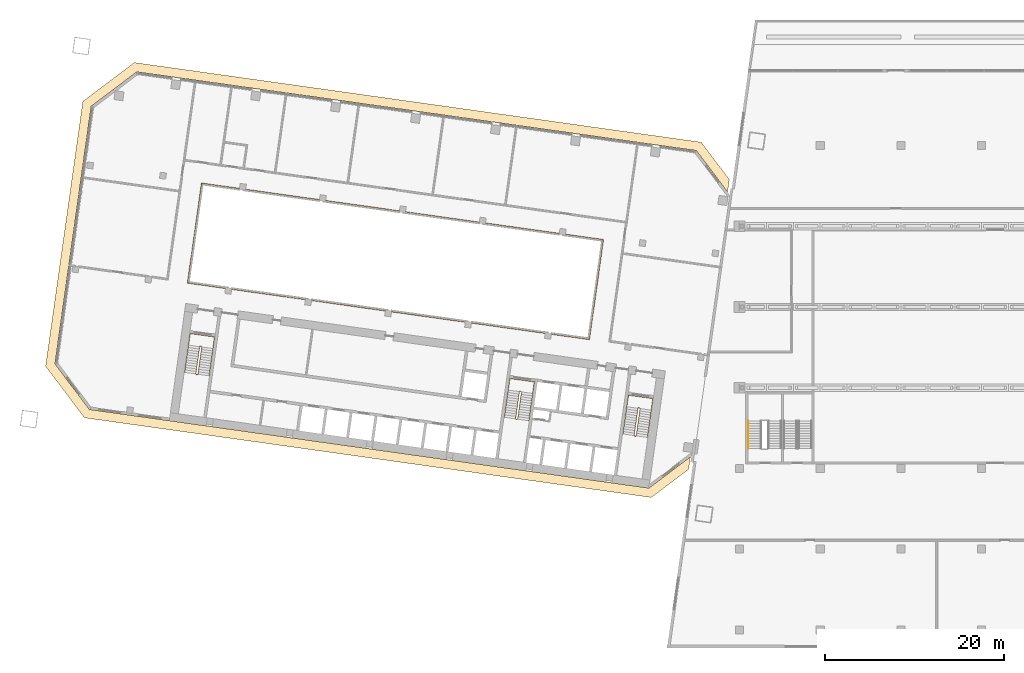
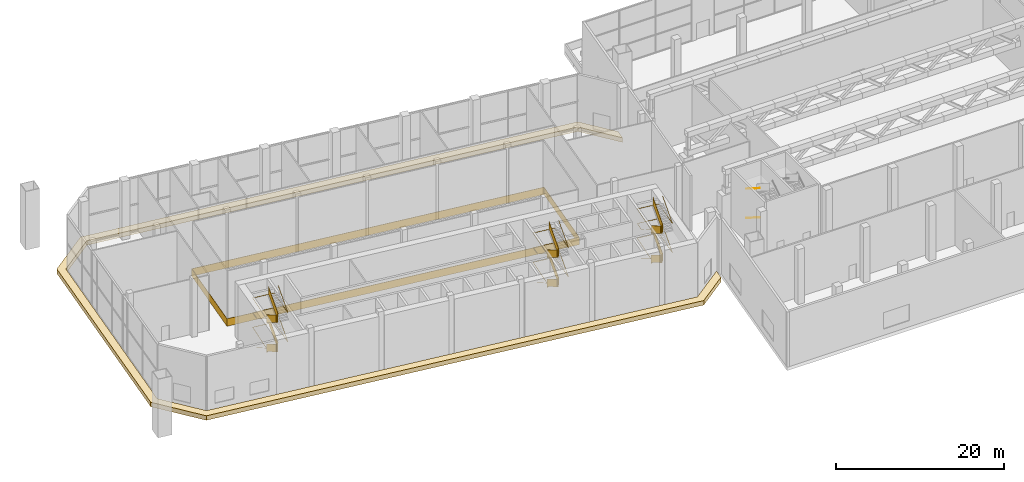
# One storey, part 28 of 31: 9 railings, 1 covering.
"""IFC4 building model written with IfcOpenShell, lengths in metres."""

from ifc_helpers import new_model, si_unit, direction, frame, origin, origin_2d, place, context, subcontext, project, spatial, polyline, rectangle, outline, extrude, material, layer, layer_set, type_object, element, save


model = new_model("IFC4")

# Units and contexts
model_context = context("Model", 3, precision=1e-05, world=origin(), true_north=direction((0.0, 1.0)))
body_context = subcontext(model_context, "Body", "Model", "MODEL_VIEW")
ifc_project = project(units=[si_unit("LENGTHUNIT", "METRE"), si_unit("AREAUNIT", "SQUARE_METRE"), si_unit("VOLUMEUNIT", "CUBIC_METRE"), si_unit("PLANEANGLEUNIT", "RADIAN"), si_unit("MASSUNIT", "GRAM", prefix="KILO")], contexts=[model_context])

# Site, building, storey
site_placement = place(None, origin())
site = spatial("IfcSite", under=ifc_project, at=site_placement, CompositionType="ELEMENT")
building_placement = place(site_placement, origin())
building = spatial("IfcBuilding", under=site, at=building_placement, Name="Mirante Cascada Hotel Towers", CompositionType="ELEMENT")
storey_placement = place(building_placement, frame((0.0, 0.0, 9.0)))
storey = spatial("IfcBuildingStorey", under=building, at=storey_placement, Name="L01", CompositionType="ELEMENT", Elevation=9.0)

# Railings
ifc_material_1 = material(Name="Painted steel", Category="steel")
railing_type_1 = type_object("IfcRailingType", Name="Atrium edge guard 1100 steel balustrade", PredefinedType="GUARDRAIL", material=ifc_material_1)
railing_1_placement = place(storey_placement, frame((-43.7567, -3.601, 0.0)))
element("IfcRailing", 1, at=railing_1_placement, inside=storey, type_object=railing_type_1, Name="Atrium guard T1 L01", PredefinedType="GUARDRAIL", context=body_context, shape_type="SweptSolid", body=[
    extrude(rectangle(XDim=0.048, YDim=0.048, at=origin_2d()), frame((0.0, 0.0, 1.076), z_axis=(-0.9902681, 0.1391726, 0.0), x_axis=(-0.1391726, -0.9902681, 0.0)), (0.0, 0.0, 1.0), 45.2),
    extrude(rectangle(XDim=0.02, YDim=1.052, at=origin_2d()), frame((0.0, 0.0, 0.526), z_axis=(-0.9902681, 0.1391726, 0.0), x_axis=(-0.1391726, -0.9902681, 0.0)), (0.0, 0.0, 1.0), 45.2),
    extrude(rectangle(XDim=0.048, YDim=0.048, at=origin_2d()), frame((-44.7601, 6.2906, 1.076), z_axis=(0.1391697, 0.9902685, 0.0), x_axis=(-0.9902685, 0.1391697, 0.0)), (0.0, 0.0, 1.0), 11.2),
    extrude(rectangle(XDim=0.02, YDim=1.052, at=origin_2d()), frame((-44.7601, 6.2906, 0.526), z_axis=(0.1391697, 0.9902685, 0.0), x_axis=(-0.9902685, 0.1391697, 0.0)), (0.0, 0.0, 1.0), 11.2),
    extrude(rectangle(XDim=0.048, YDim=0.048, at=origin_2d()), frame((-43.2014, 17.3816, 1.076), z_axis=(0.9902681, -0.1391726, 0.0), x_axis=(0.1391726, 0.9902681, 0.0)), (0.0, 0.0, 1.0), 45.2),
    extrude(rectangle(XDim=0.02, YDim=1.052, at=origin_2d()), frame((-43.2014, 17.3816, 0.526), z_axis=(0.9902681, -0.1391726, 0.0), x_axis=(0.1391726, 0.9902681, 0.0)), (0.0, 0.0, 1.0), 45.2),
    extrude(rectangle(XDim=0.048, YDim=0.048, at=origin_2d()), frame((1.5587, 11.091, 1.076), z_axis=(-0.1391697, -0.9902685, 0.0), x_axis=(0.9902685, -0.1391697, 0.0)), (0.0, 0.0, 1.0), 11.2),
    extrude(rectangle(XDim=0.02, YDim=1.052, at=origin_2d()), frame((1.5587, 11.091, 0.526), z_axis=(-0.1391697, -0.9902685, 0.0), x_axis=(0.9902685, -0.1391697, 0.0)), (0.0, 0.0, 1.0), 11.2),
])
ifc_material_2 = material(Name="Painted steel", Category="steel")
railing_type_2 = type_object("IfcRailingType", Name="Podium stair handrail 900 steel tube", PredefinedType="HANDRAIL", material=ifc_material_2)
for number, where, name in (
    (2, (-26.025, -12.695, 2.3021), "L01 PS3 stair handrail 2"),
    (3, (-26.025, -12.695, 6.5521), "L01 PS3 stair handrail 4"),
):
    element("IfcRailing", number, at=place(storey_placement, frame(where)), inside=storey, type_object=railing_type_2, Name=name, PredefinedType="HANDRAIL", context=body_context, shape_type="SweptSolid", body=[
        extrude(rectangle(XDim=0.048, YDim=0.048, at=origin_2d()), frame((0.0, 0.0, 0.876), z_axis=(0.0, -1.0, 0.0), x_axis=(1.0, 0.0, 0.0)), (0.0, 0.5345101, 0.8451621), 3.6443),
    ])

# Covering
ifc_material_3 = material(Name="Precast concrete C40/50 white", Category="concrete")
ifc_layer = layer(ifc_material_3, 0.6)
ifc_layer_set = layer_set([ifc_layer], Name="Precast concrete SUNSHADE band 1000x600")
covering_type = type_object("IfcCoveringType", Name="Precast concrete SUNSHADE band 1000x600", PredefinedType="CLADDING", material=ifc_layer_set)
covering_placement = place(storey_placement, frame((0.0, 0.0, -0.5)))
element("IfcCovering", 4, at=covering_placement, inside=storey, type_object=covering_type, Name="Precast concrete SUNSHADE band T1 L01", PredefinedType="CLADDING", context=body_context, shape_type="SweptSolid", body=[
    extrude(outline(polyline([(-100.2139, 22.9287), (-94.4698, 27.2572), (-31.2626, 18.374), (-28.1256, 14.2111), (-28.3224, 12.8107), (-31.8119, 17.4414), (-94.1988, 26.2093), (-99.2813, 22.3794), (-103.3173, -6.3384), (-99.4874, -11.4209), (-37.1005, -20.1888), (-32.4698, -16.6993), (-32.6666, -18.0998), (-36.8295, -21.2367), (-100.0367, -12.3535), (-104.3652, -6.6094), (-100.2139, 22.9287)])), origin(), (0.0, 0.0, 1.0), 0.65),
])

# Railings
ifc_material_4 = material(Name="Painted steel", Category="steel")
railing_type_3 = type_object("IfcRailingType", Name="Stair guard 1100 steel balustrade", PredefinedType="GUARDRAIL", material=ifc_material_4)
railing_2_placement = place(storey_placement, frame((-38.1178, -11.2603, 0.0)))
element("IfcRailing", 5, at=railing_2_placement, inside=storey, type_object=railing_type_3, Name="L01 ST1-A stair guard 1", PredefinedType="GUARDRAIL", context=body_context, shape_type="SweptSolid", body=[
    extrude(rectangle(XDim=0.048, YDim=0.048, at=origin_2d()), frame((0.0, 0.0, 1.076), z_axis=(-0.9903326, 0.1387133, 0.0), x_axis=(-0.1387133, -0.9903326, 0.0)), (0.0, 0.0, 1.0), 0.1499),
    extrude(rectangle(XDim=0.02, YDim=1.052, at=origin_2d()), frame((0.0, 0.0, 0.526), z_axis=(-0.9903326, 0.1387133, 0.0), x_axis=(-0.1387133, -0.9903326, 0.0)), (0.0, 0.0, 1.0), 0.1499),
    extrude(rectangle(XDim=0.048, YDim=0.048, at=origin_2d()), frame((-0.1485, 0.0208, 1.076), z_axis=(-0.7991505, -0.6011309, 0.0), x_axis=(0.6011309, -0.7991505, 0.0)), (0.0, 0.9287295, 0.370758), 0.1907),
    extrude(rectangle(XDim=0.02, YDim=1.052, at=origin_2d()), frame((-0.1485, 0.0208, 0.526), z_axis=(-0.7991505, -0.6011309, 0.0), x_axis=(0.6011309, -0.7991505, 0.0)), (0.0, 0.9287295, 0.370758), 0.1907),
    extrude(rectangle(XDim=0.048, YDim=0.048, at=origin_2d()), frame((-0.205, -0.0217, 1.2531), z_axis=(-0.1391892, -0.9902658, 0.0), x_axis=(0.9902658, -0.1391892, 0.0)), (0.0, 0.5345125, 0.8451606), 3.6443),
    extrude(rectangle(XDim=0.02, YDim=1.052, at=origin_2d()), frame((-0.205, -0.0217, 0.7031), z_axis=(-0.1391892, -0.9902658, 0.0), x_axis=(0.9902658, -0.1391892, 0.0)), (0.0, 0.5345125, 0.8451606), 3.6443),
    extrude(rectangle(XDim=0.048, YDim=0.048, at=origin_2d()), frame((-0.6337, -3.0717, 3.201), z_axis=(0.9268624, -0.3754011, 0.0), x_axis=(0.3754011, 0.9268624, 0.0)), (0.0, 0.0, 1.0), 0.2062),
    extrude(rectangle(XDim=0.02, YDim=1.052, at=origin_2d()), frame((-0.6337, -3.0717, 2.651), z_axis=(0.9268624, -0.3754011, 0.0), x_axis=(0.3754011, 0.9268624, 0.0)), (0.0, 0.0, 1.0), 0.2062),
    extrude(rectangle(XDim=0.048, YDim=0.048, at=origin_2d()), frame((-0.4426, -3.1491, 3.201), z_axis=(-0.9902408, 0.1393672, 0.0), x_axis=(-0.1393672, -0.9902408, 0.0)), (0.0, 0.0, 1.0), 0.15),
    extrude(rectangle(XDim=0.02, YDim=1.052, at=origin_2d()), frame((-0.4426, -3.1491, 2.651), z_axis=(-0.9902408, 0.1393672, 0.0), x_axis=(-0.1393672, -0.9902408, 0.0)), (0.0, 0.0, 1.0), 0.15),
    extrude(rectangle(XDim=0.048, YDim=0.048, at=origin_2d()), frame((-0.5911, -3.1282, 3.201), z_axis=(0.9944441, 0.1052656, 0.0), x_axis=(-0.1052656, 0.9944441, 0.0)), (0.0, 0.6516479, 0.7585216), 0.2718),
    extrude(rectangle(XDim=0.02, YDim=1.052, at=origin_2d()), frame((-0.5911, -3.1282, 2.651), z_axis=(0.9944441, 0.1052656, 0.0), x_axis=(-0.1052656, 0.9944441, 0.0)), (0.0, 0.6516479, 0.7585216), 0.2718),
    extrude(rectangle(XDim=0.048, YDim=0.048, at=origin_2d()), frame((-0.3861, -3.1065, 3.3781), z_axis=(0.1391892, 0.9902658, 0.0), x_axis=(-0.9902658, 0.1391892, 0.0)), (0.0, 0.5345125, 0.8451606), 3.6443),
    extrude(rectangle(XDim=0.02, YDim=1.052, at=origin_2d()), frame((-0.3861, -3.1065, 2.8281), z_axis=(0.1391892, 0.9902658, 0.0), x_axis=(-0.9902658, 0.1391892, 0.0)), (0.0, 0.5345125, 0.8451606), 3.6443),
    extrude(rectangle(XDim=0.048, YDim=0.048, at=origin_2d()), frame((0.0426, -0.0565, 5.326), z_axis=(-0.6020331, 0.7984711, 0.0), x_axis=(-0.7984711, -0.6020331, 0.0)), (0.0, 0.0, 1.0), 0.0708),
    extrude(rectangle(XDim=0.02, YDim=1.052, at=origin_2d()), frame((0.0426, -0.0565, 4.776), z_axis=(-0.6020331, 0.7984711, 0.0), x_axis=(-0.7984711, -0.6020331, 0.0)), (0.0, 0.0, 1.0), 0.0708),
    extrude(rectangle(XDim=0.048, YDim=0.048, at=origin_2d()), frame((0.0, 0.0, 5.326), z_axis=(-0.9903326, 0.1387133, 0.0), x_axis=(-0.1387133, -0.9903326, 0.0)), (0.0, 0.0, 1.0), 0.1499),
    extrude(rectangle(XDim=0.02, YDim=1.052, at=origin_2d()), frame((0.0, 0.0, 4.776), z_axis=(-0.9903326, 0.1387133, 0.0), x_axis=(-0.1387133, -0.9903326, 0.0)), (0.0, 0.0, 1.0), 0.1499),
    extrude(rectangle(XDim=0.048, YDim=0.048, at=origin_2d()), frame((-0.1485, 0.0208, 5.326), z_axis=(-0.7991505, -0.6011309, 0.0), x_axis=(0.6011309, -0.7991505, 0.0)), (0.0, 0.9287295, 0.370758), 0.1907),
    extrude(rectangle(XDim=0.02, YDim=1.052, at=origin_2d()), frame((-0.1485, 0.0208, 4.776), z_axis=(-0.7991505, -0.6011309, 0.0), x_axis=(0.6011309, -0.7991505, 0.0)), (0.0, 0.9287295, 0.370758), 0.1907),
    extrude(rectangle(XDim=0.048, YDim=0.048, at=origin_2d()), frame((-0.205, -0.0217, 5.5031), z_axis=(-0.1391892, -0.9902658, 0.0), x_axis=(0.9902658, -0.1391892, 0.0)), (0.0, 0.5345125, 0.8451606), 3.6443),
    extrude(rectangle(XDim=0.02, YDim=1.052, at=origin_2d()), frame((-0.205, -0.0217, 4.9531), z_axis=(-0.1391892, -0.9902658, 0.0), x_axis=(0.9902658, -0.1391892, 0.0)), (0.0, 0.5345125, 0.8451606), 3.6443),
    extrude(rectangle(XDim=0.048, YDim=0.048, at=origin_2d()), frame((-0.6337, -3.0717, 7.451), z_axis=(0.9268624, -0.3754011, 0.0), x_axis=(0.3754011, 0.9268624, 0.0)), (0.0, 0.0, 1.0), 0.2062),
    extrude(rectangle(XDim=0.02, YDim=1.052, at=origin_2d()), frame((-0.6337, -3.0717, 6.901), z_axis=(0.9268624, -0.3754011, 0.0), x_axis=(0.3754011, 0.9268624, 0.0)), (0.0, 0.0, 1.0), 0.2062),
    extrude(rectangle(XDim=0.048, YDim=0.048, at=origin_2d()), frame((-0.4426, -3.1491, 7.451), z_axis=(-0.9902408, 0.1393672, 0.0), x_axis=(-0.1393672, -0.9902408, 0.0)), (0.0, 0.0, 1.0), 0.15),
    extrude(rectangle(XDim=0.02, YDim=1.052, at=origin_2d()), frame((-0.4426, -3.1491, 6.901), z_axis=(-0.9902408, 0.1393672, 0.0), x_axis=(-0.1393672, -0.9902408, 0.0)), (0.0, 0.0, 1.0), 0.15),
    extrude(rectangle(XDim=0.048, YDim=0.048, at=origin_2d()), frame((-0.5911, -3.1282, 7.451), z_axis=(0.9944441, 0.1052656, 0.0), x_axis=(-0.1052656, 0.9944441, 0.0)), (0.0, 0.6516479, 0.7585216), 0.2718),
    extrude(rectangle(XDim=0.02, YDim=1.052, at=origin_2d()), frame((-0.5911, -3.1282, 6.901), z_axis=(0.9944441, 0.1052656, 0.0), x_axis=(-0.1052656, 0.9944441, 0.0)), (0.0, 0.6516479, 0.7585216), 0.2718),
    extrude(rectangle(XDim=0.048, YDim=0.048, at=origin_2d()), frame((-0.3861, -3.1065, 7.6281), z_axis=(0.1391892, 0.9902658, 0.0), x_axis=(-0.9902658, 0.1391892, 0.0)), (0.0, 0.5345125, 0.8451606), 3.6443),
    extrude(rectangle(XDim=0.02, YDim=1.052, at=origin_2d()), frame((-0.3861, -3.1065, 7.0781), z_axis=(0.1391892, 0.9902658, 0.0), x_axis=(-0.9902658, 0.1391892, 0.0)), (0.0, 0.5345125, 0.8451606), 3.6443),
])
railing_3_placement = place(storey_placement, frame((-51.3379, -9.4024, 0.0)))
element("IfcRailing", 6, at=railing_3_placement, inside=storey, type_object=railing_type_3, Name="L01 ST1-B stair guard 1", PredefinedType="GUARDRAIL", context=body_context, shape_type="SweptSolid", body=[
    extrude(rectangle(XDim=0.048, YDim=0.048, at=origin_2d()), frame((0.0, 0.0, 1.076), z_axis=(-0.9902408, 0.1393672, 0.0), x_axis=(-0.1393672, -0.9902408, 0.0)), (0.0, 0.0, 1.0), 0.15),
    extrude(rectangle(XDim=0.02, YDim=1.052, at=origin_2d()), frame((0.0, 0.0, 0.526), z_axis=(-0.9902408, 0.1393672, 0.0), x_axis=(-0.1393672, -0.9902408, 0.0)), (0.0, 0.0, 1.0), 0.15),
    extrude(rectangle(XDim=0.048, YDim=0.048, at=origin_2d()), frame((-0.1485, 0.0209, 1.076), z_axis=(-0.7984711, -0.6020331, 0.0), x_axis=(0.6020331, -0.7984711, 0.0)), (0.0, 0.9286209, 0.3710301), 0.1907),
    extrude(rectangle(XDim=0.02, YDim=1.052, at=origin_2d()), frame((-0.1485, 0.0209, 0.526), z_axis=(-0.7984711, -0.6020331, 0.0), x_axis=(0.6020331, -0.7984711, 0.0)), (0.0, 0.9286209, 0.3710301), 0.1907),
    extrude(rectangle(XDim=0.048, YDim=0.048, at=origin_2d()), frame((-0.205, -0.0217, 1.2531), z_axis=(-0.1391573, -0.9902703, 0.0), x_axis=(0.9902703, -0.1391573, 0.0)), (0.0, 0.5345142, 0.8451595), 3.6442),
    extrude(rectangle(XDim=0.02, YDim=1.052, at=origin_2d()), frame((-0.205, -0.0217, 0.7031), z_axis=(-0.1391573, -0.9902703, 0.0), x_axis=(0.9902703, -0.1391573, 0.0)), (0.0, 0.5345142, 0.8451595), 3.6442),
    extrude(rectangle(XDim=0.048, YDim=0.048, at=origin_2d()), frame((-0.6336, -3.0717, 3.201), z_axis=(0.9270311, -0.3749843, 0.0), x_axis=(0.3749843, 0.9270311, 0.0)), (0.0, 0.0, 1.0), 0.2061),
    extrude(rectangle(XDim=0.02, YDim=1.052, at=origin_2d()), frame((-0.6336, -3.0717, 2.651), z_axis=(0.9270311, -0.3749843, 0.0), x_axis=(0.3749843, 0.9270311, 0.0)), (0.0, 0.0, 1.0), 0.2061),
    extrude(rectangle(XDim=0.048, YDim=0.048, at=origin_2d()), frame((-0.4425, -3.149, 3.201), z_axis=(-0.9903454, 0.1386217, 0.0), x_axis=(-0.1386217, -0.9903454, 0.0)), (0.0, 0.0, 1.0), 0.15),
    extrude(rectangle(XDim=0.02, YDim=1.052, at=origin_2d()), frame((-0.4425, -3.149, 2.651), z_axis=(-0.9903454, 0.1386217, 0.0), x_axis=(-0.1386217, -0.9903454, 0.0)), (0.0, 0.0, 1.0), 0.15),
    extrude(rectangle(XDim=0.048, YDim=0.048, at=origin_2d()), frame((-0.5911, -3.1282, 3.201), z_axis=(0.9944441, 0.1052656, 0.0), x_axis=(-0.1052656, 0.9944441, 0.0)), (0.0, 0.6516479, 0.7585216), 0.2718),
    extrude(rectangle(XDim=0.02, YDim=1.052, at=origin_2d()), frame((-0.5911, -3.1282, 2.651), z_axis=(0.9944441, 0.1052656, 0.0), x_axis=(-0.1052656, 0.9944441, 0.0)), (0.0, 0.6516479, 0.7585216), 0.2718),
    extrude(rectangle(XDim=0.048, YDim=0.048, at=origin_2d()), frame((-0.3861, -3.1065, 3.3781), z_axis=(0.1391892, 0.9902658, 0.0), x_axis=(-0.9902658, 0.1391892, 0.0)), (0.0, 0.5345125, 0.8451606), 3.6443),
    extrude(rectangle(XDim=0.02, YDim=1.052, at=origin_2d()), frame((-0.3861, -3.1065, 2.8281), z_axis=(0.1391892, 0.9902658, 0.0), x_axis=(-0.9902658, 0.1391892, 0.0)), (0.0, 0.5345125, 0.8451606), 3.6443),
    extrude(rectangle(XDim=0.048, YDim=0.048, at=origin_2d()), frame((0.0426, -0.0565, 5.326), z_axis=(-0.6020331, 0.7984711, 0.0), x_axis=(-0.7984711, -0.6020331, 0.0)), (0.0, 0.0, 1.0), 0.0708),
    extrude(rectangle(XDim=0.02, YDim=1.052, at=origin_2d()), frame((0.0426, -0.0565, 4.776), z_axis=(-0.6020331, 0.7984711, 0.0), x_axis=(-0.7984711, -0.6020331, 0.0)), (0.0, 0.0, 1.0), 0.0708),
    extrude(rectangle(XDim=0.048, YDim=0.048, at=origin_2d()), frame((0.0, 0.0, 5.326), z_axis=(-0.9902408, 0.1393672, 0.0), x_axis=(-0.1393672, -0.9902408, 0.0)), (0.0, 0.0, 1.0), 0.15),
    extrude(rectangle(XDim=0.02, YDim=1.052, at=origin_2d()), frame((0.0, 0.0, 4.776), z_axis=(-0.9902408, 0.1393672, 0.0), x_axis=(-0.1393672, -0.9902408, 0.0)), (0.0, 0.0, 1.0), 0.15),
    extrude(rectangle(XDim=0.048, YDim=0.048, at=origin_2d()), frame((-0.1485, 0.0209, 5.326), z_axis=(-0.7984711, -0.6020331, 0.0), x_axis=(0.6020331, -0.7984711, 0.0)), (0.0, 0.9286209, 0.3710301), 0.1907),
    extrude(rectangle(XDim=0.02, YDim=1.052, at=origin_2d()), frame((-0.1485, 0.0209, 4.776), z_axis=(-0.7984711, -0.6020331, 0.0), x_axis=(0.6020331, -0.7984711, 0.0)), (0.0, 0.9286209, 0.3710301), 0.1907),
    extrude(rectangle(XDim=0.048, YDim=0.048, at=origin_2d()), frame((-0.205, -0.0217, 5.5031), z_axis=(-0.1391573, -0.9902703, 0.0), x_axis=(0.9902703, -0.1391573, 0.0)), (0.0, 0.5345142, 0.8451595), 3.6442),
    extrude(rectangle(XDim=0.02, YDim=1.052, at=origin_2d()), frame((-0.205, -0.0217, 4.9531), z_axis=(-0.1391573, -0.9902703, 0.0), x_axis=(0.9902703, -0.1391573, 0.0)), (0.0, 0.5345142, 0.8451595), 3.6442),
    extrude(rectangle(XDim=0.048, YDim=0.048, at=origin_2d()), frame((-0.6336, -3.0717, 7.451), z_axis=(0.9270311, -0.3749843, 0.0), x_axis=(0.3749843, 0.9270311, 0.0)), (0.0, 0.0, 1.0), 0.2061),
    extrude(rectangle(XDim=0.02, YDim=1.052, at=origin_2d()), frame((-0.6336, -3.0717, 6.901), z_axis=(0.9270311, -0.3749843, 0.0), x_axis=(0.3749843, 0.9270311, 0.0)), (0.0, 0.0, 1.0), 0.2061),
    extrude(rectangle(XDim=0.048, YDim=0.048, at=origin_2d()), frame((-0.4425, -3.149, 7.451), z_axis=(-0.9903454, 0.1386217, 0.0), x_axis=(-0.1386217, -0.9903454, 0.0)), (0.0, 0.0, 1.0), 0.15),
    extrude(rectangle(XDim=0.02, YDim=1.052, at=origin_2d()), frame((-0.4425, -3.149, 6.901), z_axis=(-0.9903454, 0.1386217, 0.0), x_axis=(-0.1386217, -0.9903454, 0.0)), (0.0, 0.0, 1.0), 0.15),
    extrude(rectangle(XDim=0.048, YDim=0.048, at=origin_2d()), frame((-0.5911, -3.1282, 7.451), z_axis=(0.9944441, 0.1052656, 0.0), x_axis=(-0.1052656, 0.9944441, 0.0)), (0.0, 0.6516479, 0.7585216), 0.2718),
    extrude(rectangle(XDim=0.02, YDim=1.052, at=origin_2d()), frame((-0.5911, -3.1282, 6.901), z_axis=(0.9944441, 0.1052656, 0.0), x_axis=(-0.1052656, 0.9944441, 0.0)), (0.0, 0.6516479, 0.7585216), 0.2718),
    extrude(rectangle(XDim=0.048, YDim=0.048, at=origin_2d()), frame((-0.3861, -3.1065, 7.6281), z_axis=(0.1391892, 0.9902658, 0.0), x_axis=(-0.9902658, 0.1391892, 0.0)), (0.0, 0.5345125, 0.8451606), 3.6443),
    extrude(rectangle(XDim=0.02, YDim=1.052, at=origin_2d()), frame((-0.3861, -3.1065, 7.0781), z_axis=(0.1391892, 0.9902658, 0.0), x_axis=(-0.9902658, 0.1391892, 0.0)), (0.0, 0.5345125, 0.8451606), 3.6443),
])
railing_4_placement = place(storey_placement, frame((-86.9875, -4.3922, 0.0)))
element("IfcRailing", 7, at=railing_4_placement, inside=storey, type_object=railing_type_3, Name="L01 ST1-C stair guard 1", PredefinedType="GUARDRAIL", context=body_context, shape_type="SweptSolid", body=[
    extrude(rectangle(XDim=0.048, YDim=0.048, at=origin_2d()), frame((0.0, 0.0, 1.076), z_axis=(-0.9902537, 0.1392753, 0.0), x_axis=(-0.1392753, -0.9902537, 0.0)), (0.0, 0.0, 1.0), 0.1501),
    extrude(rectangle(XDim=0.02, YDim=1.052, at=origin_2d()), frame((0.0, 0.0, 0.526), z_axis=(-0.9902537, 0.1392753, 0.0), x_axis=(-0.1392753, -0.9902537, 0.0)), (0.0, 0.0, 1.0), 0.1501),
    extrude(rectangle(XDim=0.048, YDim=0.048, at=origin_2d()), frame((-0.1486, 0.0209, 1.076), z_axis=(-0.7986386, -0.601811, 0.0), x_axis=(0.601811, -0.7986386, 0.0)), (0.0, 0.9288737, 0.3703966), 0.1907),
    extrude(rectangle(XDim=0.02, YDim=1.052, at=origin_2d()), frame((-0.1486, 0.0209, 0.526), z_axis=(-0.7986386, -0.601811, 0.0), x_axis=(0.601811, -0.7986386, 0.0)), (0.0, 0.9288737, 0.3703966), 0.1907),
    extrude(rectangle(XDim=0.048, YDim=0.048, at=origin_2d()), frame((-0.205, -0.0216, 1.2531), z_axis=(-0.1391847, -0.9902664, 0.0), x_axis=(0.9902664, -0.1391847, 0.0)), (0.0, 0.5345002, 0.8451684), 3.6443),
    extrude(rectangle(XDim=0.02, YDim=1.052, at=origin_2d()), frame((-0.205, -0.0216, 0.7031), z_axis=(-0.1391847, -0.9902664, 0.0), x_axis=(0.9902664, -0.1391847, 0.0)), (0.0, 0.5345002, 0.8451684), 3.6443),
    extrude(rectangle(XDim=0.048, YDim=0.048, at=origin_2d()), frame((-0.6337, -3.0717, 3.201), z_axis=(0.9270311, -0.3749843, 0.0), x_axis=(0.3749843, 0.9270311, 0.0)), (0.0, 0.0, 1.0), 0.2061),
    extrude(rectangle(XDim=0.02, YDim=1.052, at=origin_2d()), frame((-0.6337, -3.0717, 2.651), z_axis=(0.9270311, -0.3749843, 0.0), x_axis=(0.3749843, 0.9270311, 0.0)), (0.0, 0.0, 1.0), 0.2061),
    extrude(rectangle(XDim=0.048, YDim=0.048, at=origin_2d()), frame((-0.4426, -3.149, 3.201), z_axis=(-0.9902408, 0.1393672, 0.0), x_axis=(-0.1393672, -0.9902408, 0.0)), (0.0, 0.0, 1.0), 0.15),
    extrude(rectangle(XDim=0.02, YDim=1.052, at=origin_2d()), frame((-0.4426, -3.149, 2.651), z_axis=(-0.9902408, 0.1393672, 0.0), x_axis=(-0.1393672, -0.9902408, 0.0)), (0.0, 0.0, 1.0), 0.15),
    extrude(rectangle(XDim=0.048, YDim=0.048, at=origin_2d()), frame((-0.5911, -3.1281, 3.201), z_axis=(0.9944441, 0.1052656, 0.0), x_axis=(-0.1052656, 0.9944441, 0.0)), (0.0, 0.6516479, 0.7585216), 0.2718),
    extrude(rectangle(XDim=0.02, YDim=1.052, at=origin_2d()), frame((-0.5911, -3.1281, 2.651), z_axis=(0.9944441, 0.1052656, 0.0), x_axis=(-0.1052656, 0.9944441, 0.0)), (0.0, 0.6516479, 0.7585216), 0.2718),
    extrude(rectangle(XDim=0.048, YDim=0.048, at=origin_2d()), frame((-0.3861, -3.1064, 3.3781), z_axis=(0.1391573, 0.9902703, 0.0), x_axis=(-0.9902703, 0.1391573, 0.0)), (0.0, 0.5345142, 0.8451595), 3.6442),
    extrude(rectangle(XDim=0.02, YDim=1.052, at=origin_2d()), frame((-0.3861, -3.1064, 2.8281), z_axis=(0.1391573, 0.9902703, 0.0), x_axis=(-0.9902703, 0.1391573, 0.0)), (0.0, 0.5345142, 0.8451595), 3.6442),
    extrude(rectangle(XDim=0.048, YDim=0.048, at=origin_2d()), frame((0.0425, -0.0564, 5.326), z_axis=(-0.601811, 0.7986386, 0.0), x_axis=(-0.7986386, -0.601811, 0.0)), (0.0, 0.0, 1.0), 0.0706),
    extrude(rectangle(XDim=0.02, YDim=1.052, at=origin_2d()), frame((0.0425, -0.0564, 4.776), z_axis=(-0.601811, 0.7986386, 0.0), x_axis=(-0.7986386, -0.601811, 0.0)), (0.0, 0.0, 1.0), 0.0706),
    extrude(rectangle(XDim=0.048, YDim=0.048, at=origin_2d()), frame((0.0, 0.0, 5.326), z_axis=(-0.9902537, 0.1392753, 0.0), x_axis=(-0.1392753, -0.9902537, 0.0)), (0.0, 0.0, 1.0), 0.1501),
    extrude(rectangle(XDim=0.02, YDim=1.052, at=origin_2d()), frame((0.0, 0.0, 4.776), z_axis=(-0.9902537, 0.1392753, 0.0), x_axis=(-0.1392753, -0.9902537, 0.0)), (0.0, 0.0, 1.0), 0.1501),
    extrude(rectangle(XDim=0.048, YDim=0.048, at=origin_2d()), frame((-0.1486, 0.0209, 5.326), z_axis=(-0.7986386, -0.601811, 0.0), x_axis=(0.601811, -0.7986386, 0.0)), (0.0, 0.9288737, 0.3703966), 0.1907),
    extrude(rectangle(XDim=0.02, YDim=1.052, at=origin_2d()), frame((-0.1486, 0.0209, 4.776), z_axis=(-0.7986386, -0.601811, 0.0), x_axis=(0.601811, -0.7986386, 0.0)), (0.0, 0.9288737, 0.3703966), 0.1907),
    extrude(rectangle(XDim=0.048, YDim=0.048, at=origin_2d()), frame((-0.205, -0.0216, 5.5031), z_axis=(-0.1391847, -0.9902664, 0.0), x_axis=(0.9902664, -0.1391847, 0.0)), (0.0, 0.5345002, 0.8451684), 3.6443),
    extrude(rectangle(XDim=0.02, YDim=1.052, at=origin_2d()), frame((-0.205, -0.0216, 4.9531), z_axis=(-0.1391847, -0.9902664, 0.0), x_axis=(0.9902664, -0.1391847, 0.0)), (0.0, 0.5345002, 0.8451684), 3.6443),
    extrude(rectangle(XDim=0.048, YDim=0.048, at=origin_2d()), frame((-0.6337, -3.0717, 7.451), z_axis=(0.9270311, -0.3749843, 0.0), x_axis=(0.3749843, 0.9270311, 0.0)), (0.0, 0.0, 1.0), 0.2061),
    extrude(rectangle(XDim=0.02, YDim=1.052, at=origin_2d()), frame((-0.6337, -3.0717, 6.901), z_axis=(0.9270311, -0.3749843, 0.0), x_axis=(0.3749843, 0.9270311, 0.0)), (0.0, 0.0, 1.0), 0.2061),
    extrude(rectangle(XDim=0.048, YDim=0.048, at=origin_2d()), frame((-0.4426, -3.149, 7.451), z_axis=(-0.9902408, 0.1393672, 0.0), x_axis=(-0.1393672, -0.9902408, 0.0)), (0.0, 0.0, 1.0), 0.15),
    extrude(rectangle(XDim=0.02, YDim=1.052, at=origin_2d()), frame((-0.4426, -3.149, 6.901), z_axis=(-0.9902408, 0.1393672, 0.0), x_axis=(-0.1393672, -0.9902408, 0.0)), (0.0, 0.0, 1.0), 0.15),
    extrude(rectangle(XDim=0.048, YDim=0.048, at=origin_2d()), frame((-0.5911, -3.1281, 7.451), z_axis=(0.9944441, 0.1052656, 0.0), x_axis=(-0.1052656, 0.9944441, 0.0)), (0.0, 0.6516479, 0.7585216), 0.2718),
    extrude(rectangle(XDim=0.02, YDim=1.052, at=origin_2d()), frame((-0.5911, -3.1281, 6.901), z_axis=(0.9944441, 0.1052656, 0.0), x_axis=(-0.1052656, 0.9944441, 0.0)), (0.0, 0.6516479, 0.7585216), 0.2718),
    extrude(rectangle(XDim=0.048, YDim=0.048, at=origin_2d()), frame((-0.3861, -3.1064, 7.6281), z_axis=(0.1391573, 0.9902703, 0.0), x_axis=(-0.9902703, 0.1391573, 0.0)), (0.0, 0.5345142, 0.8451595), 3.6442),
    extrude(rectangle(XDim=0.02, YDim=1.052, at=origin_2d()), frame((-0.3861, -3.1064, 7.0781), z_axis=(0.1391573, 0.9902703, 0.0), x_axis=(-0.9902703, 0.1391573, 0.0)), (0.0, 0.5345142, 0.8451595), 3.6442),
])
ifc_material_5 = material(Name="Painted steel", Category="steel")
railing_type_4 = type_object("IfcRailingType", Name="Stair handrail 900 steel tube", PredefinedType="HANDRAIL", material=ifc_material_5)
railing_5_placement = place(storey_placement, frame((-39.5606, -11.1081, 0.1771)))
element("IfcRailing", 8, at=railing_5_placement, inside=storey, type_object=railing_type_4, Name="L01 ST1-A stair handrail 1", PredefinedType="HANDRAIL", context=body_context, shape_type="SweptSolid", body=[
    extrude(rectangle(XDim=0.048, YDim=0.048, at=origin_2d()), frame((0.0, 0.0, 0.876), z_axis=(-0.1391892, -0.9902658, 0.0), x_axis=(0.9902658, -0.1391892, 0.0)), (0.0, 0.5345125, 0.8451606), 3.6443),
    extrude(rectangle(XDim=0.048, YDim=0.048, at=origin_2d()), frame((-0.4287, -3.05, 2.8239), z_axis=(0.1391772, 0.9902675, 0.0), x_axis=(-0.9902675, 0.1391772, 0.0)), (0.0, 0.0404005, 0.9991836), 4.3836),
    extrude(rectangle(XDim=0.048, YDim=0.048, at=origin_2d()), frame((0.1809, 1.2874, 3.001), z_axis=(0.9902691, -0.1391657, 0.0), x_axis=(0.1391657, 0.9902691, 0.0)), (0.0, 0.0, 1.0), 2.75),
    extrude(rectangle(XDim=0.048, YDim=0.048, at=origin_2d()), frame((2.9041, 0.9047, 3.001), z_axis=(-0.1391772, -0.9902675, 0.0), x_axis=(0.9902675, -0.1391772, 0.0)), (0.0, 0.0, 1.0), 4.38),
    extrude(rectangle(XDim=0.048, YDim=0.048, at=origin_2d()), frame((2.2945, -3.4327, 3.001), z_axis=(0.1391892, 0.9902658, 0.0), x_axis=(-0.9902658, 0.1391892, 0.0)), (0.0, 0.5345125, 0.8451606), 3.6443),
    extrude(rectangle(XDim=0.048, YDim=0.048, at=origin_2d()), frame((2.7231, -0.3837, 4.9488), z_axis=(0.1391488, 0.9902715, 0.0), x_axis=(-0.9902715, 0.1391488, 0.0)), (0.0, 0.1349791, 0.9908484), 1.3131),
    extrude(rectangle(XDim=0.048, YDim=0.048, at=origin_2d()), frame((2.9041, 0.9047, 5.126), z_axis=(-0.9902691, 0.1391657, 0.0), x_axis=(-0.1391657, -0.9902691, 0.0)), (0.0, 0.0, 1.0), 2.75),
    extrude(rectangle(XDim=0.048, YDim=0.048, at=origin_2d()), frame((0.1809, 1.2874, 5.126), z_axis=(-0.1391488, -0.9902715, 0.0), x_axis=(0.9902715, -0.1391488, 0.0)), (0.0, 0.0, 1.0), 1.3),
    extrude(rectangle(XDim=0.048, YDim=0.048, at=origin_2d()), frame((0.0001, 0.0008, 5.1255), z_axis=(-0.1391892, -0.9902658, 0.0), x_axis=(0.9902658, -0.1391892, 0.0)), (0.0, 0.5345125, 0.8451606), 3.6453),
    extrude(rectangle(XDim=0.048, YDim=0.048, at=origin_2d()), frame((-0.4287, -3.05, 7.0739), z_axis=(0.1391772, 0.9902675, 0.0), x_axis=(-0.9902675, 0.1391772, 0.0)), (0.0, 0.0404005, 0.9991836), 4.3836),
    extrude(rectangle(XDim=0.048, YDim=0.048, at=origin_2d()), frame((0.1809, 1.2874, 7.251), z_axis=(0.9902691, -0.1391657, 0.0), x_axis=(0.1391657, 0.9902691, 0.0)), (0.0, 0.0, 1.0), 2.75),
    extrude(rectangle(XDim=0.048, YDim=0.048, at=origin_2d()), frame((2.9041, 0.9047, 7.251), z_axis=(-0.1391772, -0.9902675, 0.0), x_axis=(0.9902675, -0.1391772, 0.0)), (0.0, 0.0, 1.0), 4.38),
    extrude(rectangle(XDim=0.048, YDim=0.048, at=origin_2d()), frame((2.2945, -3.4327, 7.251), z_axis=(0.1391892, 0.9902658, 0.0), x_axis=(-0.9902658, 0.1391892, 0.0)), (0.0, 0.5345125, 0.8451606), 3.6443),
])
railing_6_placement = place(storey_placement, frame((-52.7807, -9.2501, 0.1771)))
element("IfcRailing", 9, at=railing_6_placement, inside=storey, type_object=railing_type_4, Name="L01 ST1-B stair handrail 1", PredefinedType="HANDRAIL", context=body_context, shape_type="SweptSolid", body=[
    extrude(rectangle(XDim=0.048, YDim=0.048, at=origin_2d()), frame((0.0, 0.0, 0.876), z_axis=(-0.1391892, -0.9902658, 0.0), x_axis=(0.9902658, -0.1391892, 0.0)), (0.0, 0.5345125, 0.8451606), 3.6443),
    extrude(rectangle(XDim=0.048, YDim=0.048, at=origin_2d()), frame((-0.4287, -3.05, 2.8239), z_axis=(0.1391772, 0.9902675, 0.0), x_axis=(-0.9902675, 0.1391772, 0.0)), (0.0, 0.0404005, 0.9991836), 4.3836),
    extrude(rectangle(XDim=0.048, YDim=0.048, at=origin_2d()), frame((0.1809, 1.2874, 3.001), z_axis=(0.9902641, -0.1392013, 0.0), x_axis=(0.1392013, 0.9902641, 0.0)), (0.0, 0.0, 1.0), 2.75),
    extrude(rectangle(XDim=0.048, YDim=0.048, at=origin_2d()), frame((2.9041, 0.9046, 3.001), z_axis=(-0.1391579, -0.9902702, 0.0), x_axis=(0.9902702, -0.1391579, 0.0)), (0.0, 0.0, 1.0), 4.3799),
    extrude(rectangle(XDim=0.048, YDim=0.048, at=origin_2d()), frame((2.2946, -3.4327, 3.001), z_axis=(0.1391573, 0.9902703, 0.0), x_axis=(-0.9902703, 0.1391573, 0.0)), (0.0, 0.5345142, 0.8451595), 3.6442),
    extrude(rectangle(XDim=0.048, YDim=0.048, at=origin_2d()), frame((2.7231, -0.3837, 4.9488), z_axis=(0.1391594, 0.99027, 0.0), x_axis=(-0.99027, 0.1391594, 0.0)), (0.0, 0.1349892, 0.9908471), 1.313),
    extrude(rectangle(XDim=0.048, YDim=0.048, at=origin_2d()), frame((2.9041, 0.9046, 5.126), z_axis=(-0.9902641, 0.1392013, 0.0), x_axis=(-0.1392013, -0.9902641, 0.0)), (0.0, 0.0, 1.0), 2.75),
    extrude(rectangle(XDim=0.048, YDim=0.048, at=origin_2d()), frame((0.1809, 1.2874, 5.126), z_axis=(-0.1391488, -0.9902715, 0.0), x_axis=(0.9902715, -0.1391488, 0.0)), (0.0, 0.0, 1.0), 1.3),
    extrude(rectangle(XDim=0.048, YDim=0.048, at=origin_2d()), frame((0.0001, 0.0008, 5.1255), z_axis=(-0.1391892, -0.9902658, 0.0), x_axis=(0.9902658, -0.1391892, 0.0)), (0.0, 0.5345125, 0.8451606), 3.6453),
    extrude(rectangle(XDim=0.048, YDim=0.048, at=origin_2d()), frame((-0.4287, -3.05, 7.0739), z_axis=(0.1391772, 0.9902675, 0.0), x_axis=(-0.9902675, 0.1391772, 0.0)), (0.0, 0.0404005, 0.9991836), 4.3836),
    extrude(rectangle(XDim=0.048, YDim=0.048, at=origin_2d()), frame((0.1809, 1.2874, 7.251), z_axis=(0.9902641, -0.1392013, 0.0), x_axis=(0.1392013, 0.9902641, 0.0)), (0.0, 0.0, 1.0), 2.75),
    extrude(rectangle(XDim=0.048, YDim=0.048, at=origin_2d()), frame((2.9041, 0.9046, 7.251), z_axis=(-0.1391579, -0.9902702, 0.0), x_axis=(0.9902702, -0.1391579, 0.0)), (0.0, 0.0, 1.0), 4.3799),
    extrude(rectangle(XDim=0.048, YDim=0.048, at=origin_2d()), frame((2.2946, -3.4327, 7.251), z_axis=(0.1391573, 0.9902703, 0.0), x_axis=(-0.9902703, 0.1391573, 0.0)), (0.0, 0.5345142, 0.8451595), 3.6442),
])
railing_7_placement = place(storey_placement, frame((-88.4304, -4.2399, 0.1771)))
element("IfcRailing", 10, at=railing_7_placement, inside=storey, type_object=railing_type_4, Name="L01 ST1-C stair handrail 1", PredefinedType="HANDRAIL", context=body_context, shape_type="SweptSolid", body=[
    extrude(rectangle(XDim=0.048, YDim=0.048, at=origin_2d()), frame((0.0, 0.0, 0.876), z_axis=(-0.1391573, -0.9902703, 0.0), x_axis=(0.9902703, -0.1391573, 0.0)), (0.0, 0.5345142, 0.8451595), 3.6442),
    extrude(rectangle(XDim=0.048, YDim=0.048, at=origin_2d()), frame((-0.4286, -3.05, 2.8239), z_axis=(0.1391772, 0.9902675, 0.0), x_axis=(-0.9902675, 0.1391772, 0.0)), (0.0, 0.0404005, 0.9991836), 4.3836),
    extrude(rectangle(XDim=0.048, YDim=0.048, at=origin_2d()), frame((0.181, 1.2874, 3.001), z_axis=(0.9902691, -0.1391657, 0.0), x_axis=(0.1391657, 0.9902691, 0.0)), (0.0, 0.0, 1.0), 2.75),
    extrude(rectangle(XDim=0.048, YDim=0.048, at=origin_2d()), frame((2.9042, 0.9047, 3.001), z_axis=(-0.1391772, -0.9902675, 0.0), x_axis=(0.9902675, -0.1391772, 0.0)), (0.0, 0.0, 1.0), 4.38),
    extrude(rectangle(XDim=0.048, YDim=0.048, at=origin_2d()), frame((2.2946, -3.4327, 3.001), z_axis=(0.1391892, 0.9902658, 0.0), x_axis=(-0.9902658, 0.1391892, 0.0)), (0.0, 0.5345125, 0.8451606), 3.6443),
    extrude(rectangle(XDim=0.048, YDim=0.048, at=origin_2d()), frame((2.7232, -0.3837, 4.9488), z_axis=(0.1391488, 0.9902715, 0.0), x_axis=(-0.9902715, 0.1391488, 0.0)), (0.0, 0.1349791, 0.9908484), 1.3131),
    extrude(rectangle(XDim=0.048, YDim=0.048, at=origin_2d()), frame((2.9042, 0.9047, 5.126), z_axis=(-0.9902691, 0.1391657, 0.0), x_axis=(-0.1391657, -0.9902691, 0.0)), (0.0, 0.0, 1.0), 2.75),
    extrude(rectangle(XDim=0.048, YDim=0.048, at=origin_2d()), frame((0.181, 1.2874, 5.126), z_axis=(-0.1392242, -0.9902609, 0.0), x_axis=(0.9902609, -0.1392242, 0.0)), (0.0, 0.0, 1.0), 1.3001),
    extrude(rectangle(XDim=0.048, YDim=0.048, at=origin_2d()), frame((0.0001, 0.0008, 5.1255), z_axis=(-0.1391573, -0.9902703, 0.0), x_axis=(0.9902703, -0.1391573, 0.0)), (0.0, 0.5345142, 0.8451595), 3.6452),
    extrude(rectangle(XDim=0.048, YDim=0.048, at=origin_2d()), frame((-0.4286, -3.05, 7.0739), z_axis=(0.1391772, 0.9902675, 0.0), x_axis=(-0.9902675, 0.1391772, 0.0)), (0.0, 0.0404005, 0.9991836), 4.3836),
    extrude(rectangle(XDim=0.048, YDim=0.048, at=origin_2d()), frame((0.181, 1.2874, 7.251), z_axis=(0.9902691, -0.1391657, 0.0), x_axis=(0.1391657, 0.9902691, 0.0)), (0.0, 0.0, 1.0), 2.75),
    extrude(rectangle(XDim=0.048, YDim=0.048, at=origin_2d()), frame((2.9042, 0.9047, 7.251), z_axis=(-0.1391772, -0.9902675, 0.0), x_axis=(0.9902675, -0.1391772, 0.0)), (0.0, 0.0, 1.0), 4.38),
    extrude(rectangle(XDim=0.048, YDim=0.048, at=origin_2d()), frame((2.2946, -3.4327, 7.251), z_axis=(0.1391892, 0.9902658, 0.0), x_axis=(-0.9902658, 0.1391892, 0.0)), (0.0, 0.5345125, 0.8451606), 3.6443),
])

save(model, "model.ifc")
